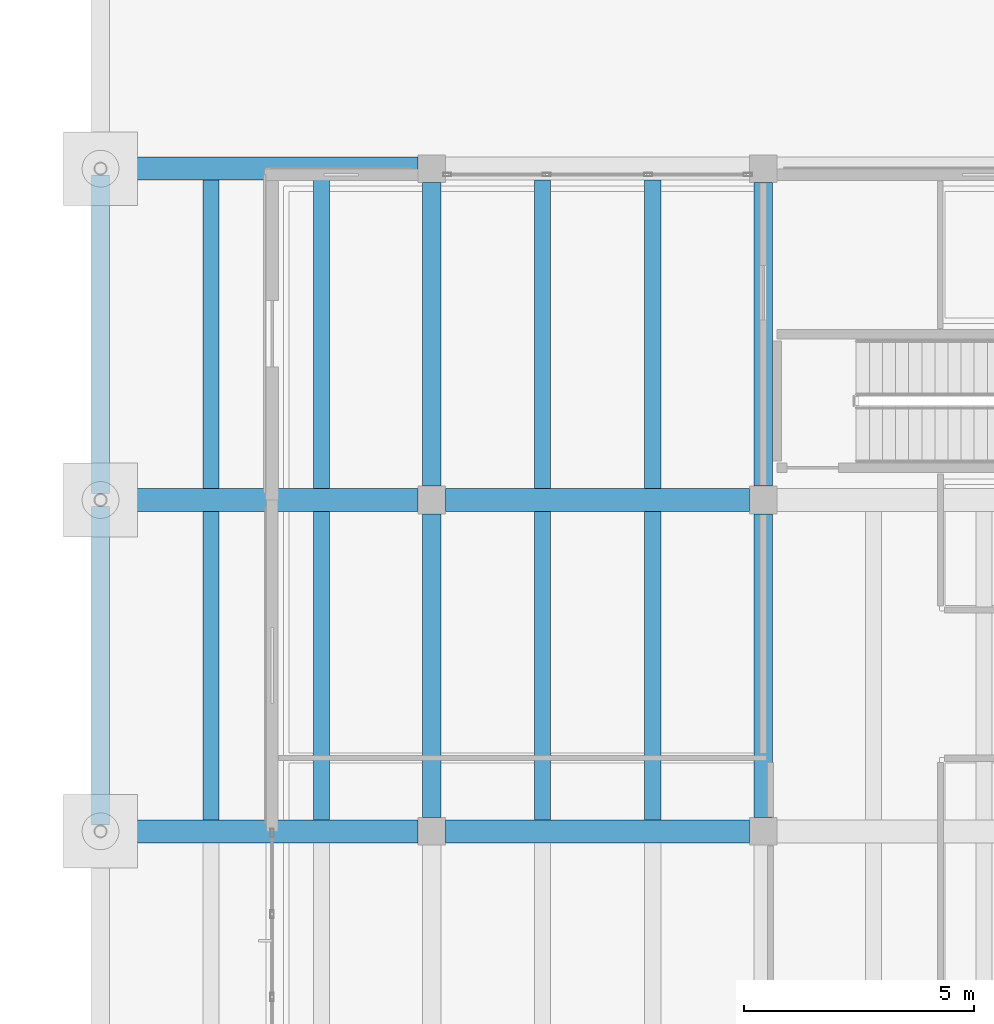
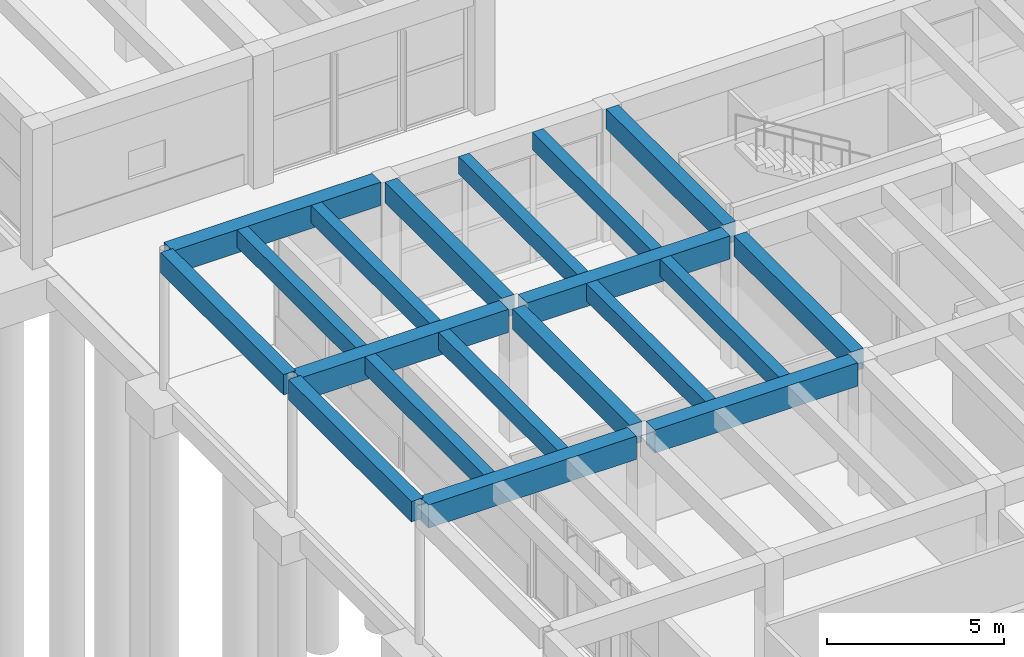
# One storey, part 21 of 155: 19 beams.
"""IFC4 building model written with IfcOpenShell, lengths in metres."""

from ifc_helpers import new_model, si_unit, direction, frame, origin, origin_2d, place, context, subcontext, project, spatial, rectangle, extrude, material, material_profile, profile_set, type_object, element, save


model = new_model("IFC4")

# Units and contexts
model_context = context("Model", 3, precision=1e-05, world=origin(), true_north=direction((0.0, 1.0)))
body_context = subcontext(model_context, "Body", "Model", "MODEL_VIEW")
ifc_project = project(units=[si_unit("LENGTHUNIT", "METRE"), si_unit("AREAUNIT", "SQUARE_METRE"), si_unit("VOLUMEUNIT", "CUBIC_METRE"), si_unit("PLANEANGLEUNIT", "RADIAN"), si_unit("MASSUNIT", "GRAM", prefix="KILO")], contexts=[model_context])

# Site, building, storey
site_placement = place(None, origin())
site = spatial("IfcSite", under=ifc_project, at=site_placement, CompositionType="ELEMENT")
building_placement = place(site_placement, origin())
building = spatial("IfcBuilding", under=site, at=building_placement, Name="Bramvelor Terrace Health Centre", CompositionType="ELEMENT")
storey_placement = place(building_placement, origin())
storey = spatial("IfcBuildingStorey", under=building, at=storey_placement, Name="L01", CompositionType="ELEMENT", Elevation=0.0)

# Beams
ifc_material_1 = material(Name="Concrete C40/50", Category="concrete")
ifc_material_profile_1 = material_profile(ifc_material_1, rectangle(XDim=0.39990234375, YDim=0.699951171875, at=origin_2d()), Name="RC 400x700")
ifc_profile_set_1 = profile_set([ifc_material_profile_1], Name="Concrete C40/50")
beam_type_1 = type_object("IfcBeamType", Name="BM-RC-G700", PredefinedType="BEAM", material=ifc_profile_set_1)
for number, where, z_axis, x_axis, name in (
    (1, (7.199951171875, 50.699951171875, 4.2099609375), (0.0, 1.0, 0.0), (-1.0, 0.0, 0.0), "L01 Floor Girder"),
    (2, (7.199951171875, 57.89990234375, 4.2099609375), (0.0, 1.0, 0.0), (-1.0, 0.0, 0.0), "L01 Floor Girder"),
    (3, (14.39990234375, 50.699951171875, 4.2099609375), (0.0, 1.0, 0.0), (-1.0, 0.0, 0.0), "L01 Floor Girder"),
    (4, (14.39990234375, 57.89990234375, 4.2099609375), (0.0, 1.0, 0.0), (-1.0, 0.0, 0.0), "L01 Floor Girder"),
):
    element("IfcBeam", number, at=place(storey_placement, frame(where, z_axis=z_axis, x_axis=x_axis)), inside=storey, type_object=beam_type_1, Name=name, PredefinedType="BEAM", context=body_context, shape_type="SweptSolid", body=[
        extrude(rectangle(XDim=0.39990234375, YDim=0.699951171875, at=origin_2d()), origin(), (0.0, 0.0, 1.0), 6.60009765625),
    ])
ifc_material_2 = material(Name="Concrete C40/50", Category="concrete")
ifc_material_profile_2 = material_profile(ifc_material_2, rectangle(XDim=0.5, YDim=0.800048828125, at=origin_2d()), Name="RC 500x800")
ifc_profile_set_2 = profile_set([ifc_material_profile_2], Name="Concrete C40/50")
beam_type_2 = type_object("IfcBeamType", Name="BM-RC-G800", PredefinedType="BEAM", material=ifc_profile_set_2)
for number, where, z_axis, x_axis, name in (
    (5, (0.136474609375, 50.39990234375, 4.159912109375), (1.0, 0.0, 0.0), (0.0, 1.0, 0.0), "L01 Floor Girder"),
    (6, (0.136474609375, 57.60009765625, 4.159912109375), (1.0, 0.0, 0.0), (0.0, 1.0, 0.0), "L01 Floor Girder"),
    (7, (0.136474609375, 64.800048828125, 4.159912109375), (1.0, 0.0, 0.0), (0.0, 1.0, 0.0), "L01 Floor Girder"),
):
    element("IfcBeam", number, at=place(storey_placement, frame(where, z_axis=z_axis, x_axis=x_axis)), inside=storey, type_object=beam_type_2, Name=name, PredefinedType="BEAM", context=body_context, shape_type="SweptSolid", body=[
        extrude(rectangle(XDim=0.5, YDim=0.800048828125, at=origin_2d()), origin(), (0.0, 0.0, 1.0), 6.763427734375),
    ])
for number, where, z_axis, x_axis, name in (
    (8, (7.5, 50.39990234375, 4.159912109375), (1.0, 0.0, 0.0), (0.0, 1.0, 0.0), "L01 Floor Girder"),
    (9, (7.5, 57.60009765625, 4.159912109375), (1.0, 0.0, 0.0), (0.0, 1.0, 0.0), "L01 Floor Girder"),
):
    element("IfcBeam", number, at=place(storey_placement, frame(where, z_axis=z_axis, x_axis=x_axis)), inside=storey, type_object=beam_type_2, Name=name, PredefinedType="BEAM", context=body_context, shape_type="SweptSolid", body=[
        extrude(rectangle(XDim=0.5, YDim=0.800048828125, at=origin_2d()), origin(), (0.0, 0.0, 1.0), 6.60009765625),
    ])
ifc_material_3 = material(Name="Concrete C40/50", Category="concrete")
ifc_material_profile_3 = material_profile(ifc_material_3, rectangle(XDim=0.35009765625, YDim=0.60009765625, at=origin_2d()), Name="RC 350x600")
ifc_profile_set_3 = profile_set([ifc_material_profile_3], Name="Concrete C40/50")
beam_type_3 = type_object("IfcBeamType", Name="BM-RC-J600", PredefinedType="JOIST", material=ifc_profile_set_3)
for number, where, z_axis, x_axis, name in (
    (10, (2.39990234375, 50.64990234375, 4.260009765625), (0.0, 1.0, 0.0), (-1.0, 0.0, 0.0), "L01 Secondary Floor Joist"),
    (11, (4.800048828125, 50.64990234375, 4.260009765625), (0.0, 1.0, 0.0), (-1.0, 0.0, 0.0), "L01 Secondary Floor Joist"),
):
    element("IfcBeam", number, at=place(storey_placement, frame(where, z_axis=z_axis, x_axis=x_axis)), inside=storey, type_object=beam_type_3, Name=name, PredefinedType="JOIST", context=body_context, shape_type="SweptSolid", body=[
        extrude(rectangle(XDim=0.35009765625, YDim=0.60009765625, at=origin_2d()), origin(), (0.0, 0.0, 1.0), 6.7001953125),
    ])
for number, where, z_axis, x_axis, name in (
    (12, (2.39990234375, 57.85009765625, 4.260009765625), (0.0, 1.0, 0.0), (-1.0, 0.0, 0.0), "L01 Secondary Floor Joist"),
    (13, (4.800048828125, 57.85009765625, 4.260009765625), (0.0, 1.0, 0.0), (-1.0, 0.0, 0.0), "L01 Secondary Floor Joist"),
):
    element("IfcBeam", number, at=place(storey_placement, frame(where, z_axis=z_axis, x_axis=x_axis)), inside=storey, type_object=beam_type_3, Name=name, PredefinedType="JOIST", context=body_context, shape_type="SweptSolid", body=[
        extrude(rectangle(XDim=0.35009765625, YDim=0.60009765625, at=origin_2d()), origin(), (0.0, 0.0, 1.0), 6.699951171875),
    ])
for number, where, z_axis, x_axis, name in (
    (14, (9.60009765625, 50.64990234375, 4.260009765625), (0.0, 1.0, 0.0), (-1.0, 0.0, 0.0), "L01 Secondary Floor Joist"),
    (15, (12.0, 50.64990234375, 4.260009765625), (0.0, 1.0, 0.0), (-1.0, 0.0, 0.0), "L01 Secondary Floor Joist"),
):
    element("IfcBeam", number, at=place(storey_placement, frame(where, z_axis=z_axis, x_axis=x_axis)), inside=storey, type_object=beam_type_3, Name=name, PredefinedType="JOIST", context=body_context, shape_type="SweptSolid", body=[
        extrude(rectangle(XDim=0.35009765625, YDim=0.60009765625, at=origin_2d()), origin(), (0.0, 0.0, 1.0), 6.7001953125),
    ])
for number, where, z_axis, x_axis, name in (
    (16, (9.60009765625, 57.85009765625, 4.260009765625), (0.0, 1.0, 0.0), (-1.0, 0.0, 0.0), "L01 Secondary Floor Joist"),
    (17, (12.0, 57.85009765625, 4.260009765625), (0.0, 1.0, 0.0), (-1.0, 0.0, 0.0), "L01 Secondary Floor Joist"),
):
    element("IfcBeam", number, at=place(storey_placement, frame(where, z_axis=z_axis, x_axis=x_axis)), inside=storey, type_object=beam_type_3, Name=name, PredefinedType="JOIST", context=body_context, shape_type="SweptSolid", body=[
        extrude(rectangle(XDim=0.35009765625, YDim=0.60009765625, at=origin_2d()), origin(), (0.0, 0.0, 1.0), 6.699951171875),
    ])
ifc_material_4 = material(Name="Concrete C40/50", Category="concrete")
ifc_material_profile_4 = material_profile(ifc_material_4, rectangle(XDim=0.39990234375, YDim=0.699951171875, at=origin_2d()), Name="RC 400x700")
ifc_profile_set_4 = profile_set([ifc_material_profile_4], Name="Concrete C40/50")
beam_type_4 = type_object("IfcBeamType", Name="BM-RC-SP700-EXT", PredefinedType="SPANDREL", material=ifc_profile_set_4)
beam_1_placement = place(storey_placement, frame((0.0, 50.53662109375, 4.2099609375), z_axis=(0.0, 1.0, 0.0), x_axis=(-1.0, 0.0, 0.0)))
element("IfcBeam", 18, at=beam_1_placement, inside=storey, type_object=beam_type_4, Name="L01 Floor Girder", PredefinedType="SPANDREL", context=body_context, shape_type="SweptSolid", body=[
    extrude(rectangle(XDim=0.39990234375, YDim=0.699951171875, at=origin_2d()), origin(), (0.0, 0.0, 1.0), 6.9267578125),
])
beam_2_placement = place(storey_placement, frame((0.0, 57.736572265625, 4.2099609375), z_axis=(0.0, 1.0, 0.0), x_axis=(-1.0, 0.0, 0.0)))
element("IfcBeam", 19, at=beam_2_placement, inside=storey, type_object=beam_type_4, Name="L01 Floor Girder", PredefinedType="SPANDREL", context=body_context, shape_type="SweptSolid", body=[
    extrude(rectangle(XDim=0.39990234375, YDim=0.699951171875, at=origin_2d()), origin(), (0.0, 0.0, 1.0), 6.927001953125),
])

save(model, "model.ifc")
